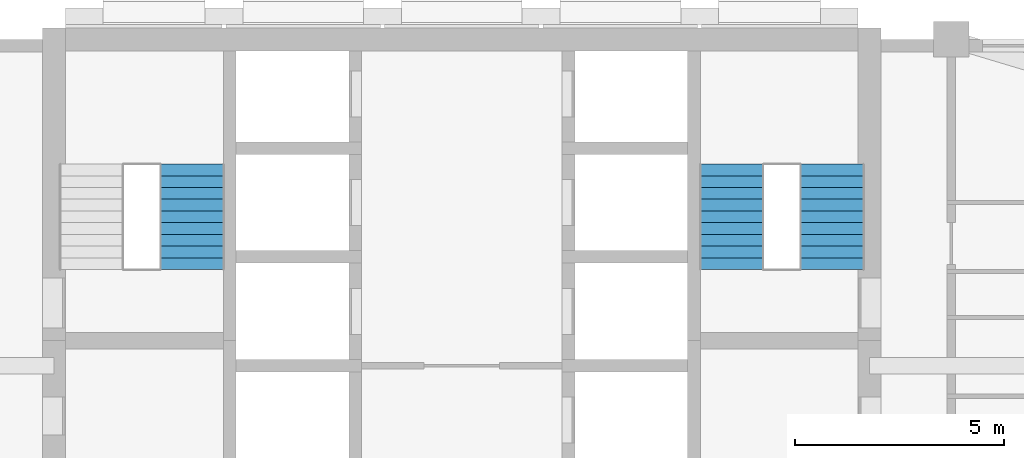
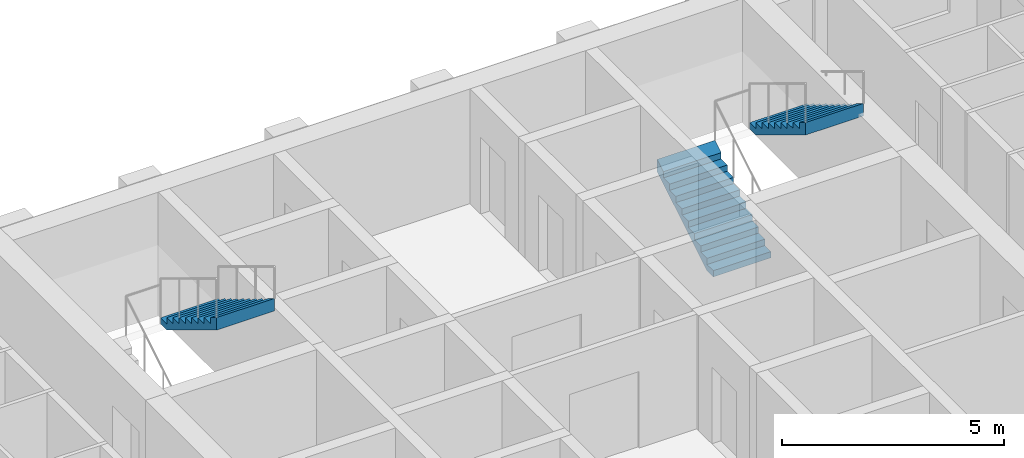
# One storey, part 10 of 12: 3 stair flights, 2 elements without a shape of their own.
"""IFC4 building model written with IfcOpenShell, lengths in metres."""

import ifcopenshell
import ifcopenshell.guid

model = None  # the IFC model being written
_history = None  # IfcOwnerHistory: only IFC2X3 demands one
_inside = {}  # id of a spatial element -> (the spatial element, [elements in it])
_under = {}  # id of a project, library or spatial element -> (it, [spatial elements below it])
_declared = {}  # id of a project -> (the project, [libraries it declares])
_typed = {}  # id of a type object -> (the type object, [elements of that type])
_made_of = {}  # id of a material, layer set ... -> (it, [elements and type objects made of it])


def new_model(schema):
    """Start an empty IFC model of exactly this schema.

    Asked for "IFC4X3", IfcOpenShell would pick the latest addendum, in which some entities
    have other attributes; the version numbers below select the first issue.
    IFC2X3 requires an IfcOwnerHistory on every rooted entity: one is made here for all.
    """
    global model, _history
    if schema == "IFC4X3":
        model = ifcopenshell.file(schema_version=(4, 3, 0, 0))
    else:
        model = ifcopenshell.file(schema=schema)
    _inside.clear()
    _under.clear()
    _declared.clear()
    _typed.clear()
    _made_of.clear()
    _history = None
    if model.schema == "IFC2X3":
        org = make("IfcOrganization", Name="unknown")
        user = make(
            "IfcPersonAndOrganization",
            ThePerson=make("IfcPerson", FamilyName="unknown"),
            TheOrganization=org,
        )
        app = make(
            "IfcApplication",
            ApplicationDeveloper=org,
            Version="unknown",
            ApplicationFullName="unknown",
            ApplicationIdentifier="unknown",
        )
        _history = make(
            "IfcOwnerHistory",
            OwningUser=user,
            OwningApplication=app,
            ChangeAction="ADDED",
            CreationDate=0,
        )
    return model


def make(cls, **values):
    """One entity of the class cls with the attributes given. An attribute that is None is left unset."""
    return model.create_entity(
        cls, **{name: value for name, value in values.items() if value is not None}
    )


def rooted(cls, **values):
    """An entity with a GlobalId (a new one), such as an element, a storey or a relation."""
    return make(cls, GlobalId=ifcopenshell.guid.new(), OwnerHistory=_history, **values)


def si_unit(unit_type, name, prefix=None):
    """IfcSIUnit, for example si_unit("LENGTHUNIT", "METRE", prefix="MILLI")."""
    return make("IfcSIUnit", UnitType=unit_type, Prefix=prefix, Name=name)


def assignment(units):
    """IfcUnitAssignment: the units of a project."""
    return None if units is None else make("IfcUnitAssignment", Units=units)


def point(xyz):
    """IfcCartesianPoint."""
    return None if xyz is None else make("IfcCartesianPoint", Coordinates=xyz)


def direction(xyz):
    """IfcDirection."""
    return None if xyz is None else make("IfcDirection", DirectionRatios=xyz)


def frame(location, z_axis=None, x_axis=None):
    """IfcAxis2Placement3D, a coordinate frame: its origin and axes. An axis left out is left unset."""
    return make(
        "IfcAxis2Placement3D",
        Location=point(location),
        Axis=direction(z_axis),
        RefDirection=direction(x_axis),
    )


def origin():
    """The frame at (0, 0, 0) with its axes left unset."""
    return frame((0.0, 0.0, 0.0))


def place(relative_to, where):
    """IfcLocalPlacement: puts the frame where relative to a parent placement (None: the world)."""
    return make(
        "IfcLocalPlacement", PlacementRelTo=relative_to, RelativePlacement=where
    )


def context(
    kind, dimensions, precision=None, world=None, true_north=None, identifier=None
):
    """IfcGeometricRepresentationContext, for example the 3D "Model" context."""
    return make(
        "IfcGeometricRepresentationContext",
        ContextIdentifier=identifier,
        ContextType=kind,
        CoordinateSpaceDimension=dimensions,
        Precision=precision,
        WorldCoordinateSystem=world,
        TrueNorth=true_north,
    )


def subcontext(parent, identifier, kind, view, scale=None):
    """IfcGeometricRepresentationSubContext, for example "Body" below "Model"."""
    return make(
        "IfcGeometricRepresentationSubContext",
        ContextIdentifier=identifier,
        ContextType=kind,
        ParentContext=parent,
        TargetScale=scale,
        TargetView=view,
    )


def project(units=None, contexts=None):
    """IfcProject with its units and contexts."""
    return rooted(
        "IfcProject",
        Name="project",
        RepresentationContexts=contexts,
        UnitsInContext=assignment(units),
    )


def spatial(cls, under=None, at=None, **own):
    """A site, building, storey or space (cls), placed at a placement, below another one or the project."""
    s = rooted(cls, ObjectPlacement=at, **own)
    if under is not None:
        _under.setdefault(under.id(), (under, []))[1].append(s)
    return s


def point_list(points):
    """IfcCartesianPointList2D or 3D."""
    cls = (
        "IfcCartesianPointList2D" if len(points[0]) == 2 else "IfcCartesianPointList3D"
    )
    return make(cls, CoordList=points)


def triangles(points, corners, closed=None, point_numbers=None):
    """IfcTriangulatedFaceSet: each triangle names its three corners, points numbered from 1."""
    return make(
        "IfcTriangulatedFaceSet",
        Coordinates=point_list(points),
        Closed=closed,
        CoordIndex=corners,
        PnIndex=point_numbers,
    )


def shape(context_of_items, identifier, shape_type, items):
    """IfcShapeRepresentation: the items that make up one representation, for example the "Body"."""
    return make(
        "IfcShapeRepresentation",
        ContextOfItems=context_of_items,
        RepresentationIdentifier=identifier,
        RepresentationType=shape_type,
        Items=items,
    )


def material(Name=None, Category=None):
    """IfcMaterial."""
    return make("IfcMaterial", Name=Name, Category=Category)


def made_of(thing, what):
    """Note that an element or type object is made of a material, layer set ...; save() writes the relation."""
    if what is not None:
        _made_of.setdefault(what.id(), (what, []))[1].append(thing)
    return thing


def type_object(cls, material=None, **own):
    """A type object (cls), such as IfcWallType, which elements share."""
    return made_of(rooted(cls, **own), material)


def element(
    cls,
    number,
    at=None,
    inside=None,
    cuts=None,
    type_object=None,
    material=None,
    context=None,
    identifier="Body",
    shape_type=None,
    held_by="IfcProductDefinitionShape",
    body=None,
    shapes=None,
    **own,
):
    """One element of the class cls, such as IfcWall. Its Tag is "e" and its number.

    at: its placement. inside: the storey or other place that contains it. cuts: it is an
    opening in that element (IfcRelVoidsElement). A single representation is given by context,
    identifier, shape_type and body (its items); several are given by shapes. held_by: the class
    of the entity that holds the representations. save() writes the other relations.
    """
    e = rooted(cls, Tag="e%d" % number, ObjectPlacement=at, **own)
    if body is not None:
        shapes = [shape(context, identifier, shape_type, body)]
    if shapes is not None:
        e.Representation = make(held_by, Representations=shapes)
    if inside is not None:
        _inside.setdefault(inside.id(), (inside, []))[1].append(e)
    if cuts is not None:
        rooted(
            "IfcRelVoidsElement", RelatingBuildingElement=cuts, RelatedOpeningElement=e
        )
    if type_object is not None:
        _typed.setdefault(type_object.id(), (type_object, []))[1].append(e)
    return made_of(e, material)


def aggregate(whole, parts):
    """IfcRelAggregates: a whole, such as a stair, and the parts it consists of."""
    return rooted("IfcRelAggregates", RelatingObject=whole, RelatedObjects=parts)


def save(model, path):
    """Write the relations noted so far, then the file.

    IfcRelAggregates (storeys below a building ...), IfcRelContainedInSpatialStructure (elements
    in a storey), IfcRelDefinesByType, IfcRelAssociatesMaterial and IfcRelDeclares: one each for
    every whole, place, type object, material and project.
    """
    for whole, parts in _under.values():
        aggregate(whole, parts)
    for where, things in _inside.values():
        rooted(
            "IfcRelContainedInSpatialStructure",
            RelatedElements=things,
            RelatingStructure=where,
        )
    for kind, things in _typed.values():
        rooted("IfcRelDefinesByType", RelatedObjects=things, RelatingType=kind)
    for what, things in _made_of.values():
        rooted("IfcRelAssociatesMaterial", RelatedObjects=things, RelatingMaterial=what)
    for by, libraries in _declared.values():
        rooted("IfcRelDeclares", RelatingContext=by, RelatedDefinitions=libraries)
    model.write(path)


model = new_model("IFC4")

# Units and contexts
model_context = context("Model", 3, precision=1e-05, world=origin(), true_north=direction((0.0, 1.0)))
body_context = subcontext(model_context, "Body", "Model", "MODEL_VIEW")
ifc_project = project(units=[si_unit("LENGTHUNIT", "METRE"), si_unit("AREAUNIT", "SQUARE_METRE"), si_unit("VOLUMEUNIT", "CUBIC_METRE"), si_unit("PLANEANGLEUNIT", "RADIAN"), si_unit("MASSUNIT", "GRAM", prefix="KILO")], contexts=[model_context])

# Site, building, storey
site_placement = place(None, origin())
site = spatial("IfcSite", under=ifc_project, at=site_placement, CompositionType="ELEMENT")
building_placement = place(site_placement, origin())
building = spatial("IfcBuilding", under=site, at=building_placement, Name="Ludao Terraces", CompositionType="ELEMENT")
storey_placement = place(building_placement, frame((0.0, 0.0, 137.300048828125)))
storey = spatial("IfcBuildingStorey", under=building, at=storey_placement, Name="L37", CompositionType="ELEMENT", Elevation=137.300048828125)

# Stair, stair flight
ifc_material = material(Name="Concrete C40", Category="concrete")
stair_type = type_object("IfcStairType", Name="INT Stair", PredefinedType="HALF_TURN_STAIR", material=ifc_material)
stair_1_placement = place(storey_placement, origin())
stair_1 = element("IfcStair", 1, at=stair_1_placement, inside=storey, type_object=stair_type, Name="EXIT STAIR 1", PredefinedType="HALF_TURN_STAIR")
stair_flight_type = type_object("IfcStairFlightType", Name="INT Stair flight", PredefinedType="STRAIGHT", material=ifc_material)
stair_flight_1_placement = place(storey_placement, frame((78.550048828125, 81.52001953125, 1.699951171875), z_axis=(0.0, 0.0, 1.0), x_axis=(0.0, -1.0, 0.0)))
stair_flight_1 = element("IfcStairFlight", 2, at=stair_flight_1_placement, type_object=stair_flight_type, Name="ST1 flight 2", NumberOfRisers=10, NumberOfTreads=9, PredefinedType="STRAIGHT", RiserHeight=0.17, TreadLength=0.28, context=body_context, shape_type="Tessellation", body=[
    triangles([(0.0, -0.75, 0.0), (0.0, -0.5, 0.0), (0.0, -0.25, 0.0), (0.0, 0.0, 0.0), (0.0, 0.25, 0.0), (0.0, 0.5, 0.0), (0.0, 0.75, 0.0), (0.0, -0.75, 0.169921875), (0.0, -0.5, 0.169921875), (0.0, -0.25, 0.169921875), (0.0, 0.0, 0.169921875), (0.0, 0.25, 0.169921875), (0.0, 0.5, 0.169921875), (0.0, 0.75, 0.169921875), (0.280029296875, -0.75, 0.169921875), (0.280029296875, -0.5, 0.169921875), (0.280029296875, -0.25, 0.169921875), (0.280029296875, 0.0, 0.169921875), (0.280029296875, 0.25, 0.169921875), (0.280029296875, 0.5, 0.169921875), (0.280029296875, 0.75, 0.169921875), (0.280029296875, -0.75, 0.340087890625), (0.280029296875, -0.5, 0.340087890625), (0.280029296875, -0.25, 0.340087890625), (0.280029296875, 0.0, 0.340087890625), (0.280029296875, 0.25, 0.340087890625), (0.280029296875, 0.5, 0.340087890625), (0.280029296875, 0.75, 0.340087890625), (0.56005859375, -0.75, 0.340087890625), (0.56005859375, -0.5, 0.340087890625), (0.56005859375, -0.25, 0.340087890625), (0.56005859375, 0.0, 0.340087890625), (0.56005859375, 0.25, 0.340087890625), (0.56005859375, 0.5, 0.340087890625), (0.56005859375, 0.75, 0.340087890625), (0.56005859375, -0.75, 0.510009765625), (0.56005859375, -0.5, 0.510009765625), (0.56005859375, -0.25, 0.510009765625), (0.56005859375, 0.0, 0.510009765625), (0.56005859375, 0.25, 0.510009765625), (0.56005859375, 0.5, 0.510009765625), (0.56005859375, 0.75, 0.510009765625), (0.840087890625, -0.75, 0.510009765625), (0.840087890625, -0.5, 0.510009765625), (0.840087890625, -0.25, 0.510009765625), (0.840087890625, 0.0, 0.510009765625), (0.840087890625, 0.25, 0.510009765625), (0.840087890625, 0.5, 0.510009765625), (0.840087890625, 0.75, 0.510009765625), (0.840087890625, -0.75, 0.679931640625), (0.840087890625, -0.5, 0.679931640625), (0.840087890625, -0.25, 0.679931640625), (0.840087890625, 0.0, 0.679931640625), (0.840087890625, 0.25, 0.679931640625), (0.840087890625, 0.5, 0.679931640625), (0.840087890625, 0.75, 0.679931640625), (1.1201171875, -0.75, 0.679931640625), (1.1201171875, -0.5, 0.679931640625), (1.1201171875, -0.25, 0.679931640625), (1.1201171875, 0.0, 0.679931640625), (1.1201171875, 0.25, 0.679931640625), (1.1201171875, 0.5, 0.679931640625), (1.1201171875, 0.75, 0.679931640625), (1.1201171875, -0.75, 0.85009765625), (1.1201171875, -0.5, 0.85009765625), (1.1201171875, -0.25, 0.85009765625), (1.1201171875, 0.0, 0.85009765625), (1.1201171875, 0.25, 0.85009765625), (1.1201171875, 0.5, 0.85009765625), (1.1201171875, 0.75, 0.85009765625), (1.39990234375, -0.75, 0.85009765625), (1.39990234375, -0.5, 0.85009765625), (1.39990234375, -0.25, 0.85009765625), (1.39990234375, 0.0, 0.85009765625), (1.39990234375, 0.25, 0.85009765625), (1.39990234375, 0.5, 0.85009765625), (1.39990234375, 0.75, 0.85009765625), (1.39990234375, -0.75, 1.02001953125), (1.39990234375, -0.5, 1.02001953125), (1.39990234375, -0.25, 1.02001953125), (1.39990234375, 0.0, 1.02001953125), (1.39990234375, 0.25, 1.02001953125), (1.39990234375, 0.5, 1.02001953125), (1.39990234375, 0.75, 1.02001953125), (1.679931640625, -0.75, 1.02001953125), (1.679931640625, -0.5, 1.02001953125), (1.679931640625, -0.25, 1.02001953125), (1.679931640625, 0.0, 1.02001953125), (1.679931640625, 0.25, 1.02001953125), (1.679931640625, 0.5, 1.02001953125), (1.679931640625, 0.75, 1.02001953125), (1.679931640625, -0.75, 1.18994140625), (1.679931640625, -0.5, 1.18994140625), (1.679931640625, -0.25, 1.18994140625), (1.679931640625, 0.0, 1.18994140625), (1.679931640625, 0.25, 1.18994140625), (1.679931640625, 0.5, 1.18994140625), (1.679931640625, 0.75, 1.18994140625), (1.9599609375, -0.75, 1.18994140625), (1.9599609375, -0.5, 1.18994140625), (1.9599609375, -0.25, 1.18994140625), (1.9599609375, 0.0, 1.18994140625), (1.9599609375, 0.25, 1.18994140625), (1.9599609375, 0.5, 1.18994140625), (1.9599609375, 0.75, 1.18994140625), (1.9599609375, -0.75, 1.360107421875), (1.9599609375, -0.5, 1.360107421875), (1.9599609375, -0.25, 1.360107421875), (1.9599609375, 0.0, 1.360107421875), (1.9599609375, 0.25, 1.360107421875), (1.9599609375, 0.5, 1.360107421875), (1.9599609375, 0.75, 1.360107421875), (2.239990234375, -0.75, 1.360107421875), (2.239990234375, -0.5, 1.360107421875), (2.239990234375, -0.25, 1.360107421875), (2.239990234375, 0.0, 1.360107421875), (2.239990234375, 0.25, 1.360107421875), (2.239990234375, 0.5, 1.360107421875), (2.239990234375, 0.75, 1.360107421875), (2.239990234375, -0.75, 1.530029296875), (2.239990234375, -0.5, 1.530029296875), (2.239990234375, -0.25, 1.530029296875), (2.239990234375, 0.0, 1.530029296875), (2.239990234375, 0.25, 1.530029296875), (2.239990234375, 0.5, 1.530029296875), (2.239990234375, 0.75, 1.530029296875), (2.52001953125, -0.75, 1.699951171875), (2.52001953125, -0.5, 1.699951171875), (2.52001953125, -0.25, 1.699951171875), (2.52001953125, 0.0, 1.699951171875), (2.52001953125, 0.25, 1.699951171875), (2.52001953125, 0.5, 1.699951171875), (2.52001953125, 0.75, 1.699951171875), (2.52001953125, -0.75, 1.354736328125), (2.52001953125, -0.5, 1.354736328125), (2.52001953125, -0.25, 1.354736328125), (2.52001953125, 0.0, 1.354736328125), (2.52001953125, 0.25, 1.354736328125), (2.52001953125, 0.5, 1.354736328125), (2.52001953125, 0.75, 1.354736328125), (0.288818359375, -0.75, 0.0), (0.288818359375, -0.5, 0.0), (0.288818359375, -0.25, 0.0), (0.288818359375, 0.0, 0.0), (0.288818359375, 0.25, 0.0), (0.288818359375, 0.5, 0.0), (0.288818359375, 0.75, 0.0)], [[1, 141, 134], [7, 140, 147], [134, 127, 120], [140, 126, 133], [134, 120, 113], [140, 119, 126], [134, 113, 106], [140, 112, 119], [134, 106, 99], [140, 105, 112], [99, 92, 85], [105, 91, 98], [134, 99, 85], [140, 91, 105], [85, 78, 71], [91, 77, 84], [134, 85, 71], [140, 77, 91], [71, 64, 57], [77, 63, 70], [134, 71, 57], [140, 63, 77], [57, 50, 43], [63, 49, 56], [134, 57, 43], [140, 49, 63], [43, 36, 29], [49, 35, 42], [134, 43, 29], [140, 35, 49], [29, 22, 15], [35, 21, 28], [134, 29, 15], [140, 21, 35], [1, 134, 15], [7, 21, 140], [15, 8, 1], [21, 7, 14], [1, 9, 2], [1, 8, 9], [2, 10, 3], [2, 9, 10], [3, 11, 4], [3, 10, 11], [4, 12, 5], [4, 11, 12], [5, 13, 6], [5, 12, 13], [6, 14, 7], [6, 13, 14], [8, 16, 9], [8, 15, 16], [9, 17, 10], [9, 16, 17], [10, 18, 11], [10, 17, 18], [11, 19, 12], [11, 18, 19], [12, 20, 13], [12, 19, 20], [13, 21, 14], [13, 20, 21], [15, 23, 16], [15, 22, 23], [16, 24, 17], [16, 23, 24], [17, 25, 18], [17, 24, 25], [18, 26, 19], [18, 25, 26], [19, 27, 20], [19, 26, 27], [20, 28, 21], [20, 27, 28], [22, 30, 23], [22, 29, 30], [23, 31, 24], [23, 30, 31], [24, 32, 25], [24, 31, 32], [25, 33, 26], [25, 32, 33], [26, 34, 27], [26, 33, 34], [27, 35, 28], [27, 34, 35], [29, 37, 30], [29, 36, 37], [30, 38, 31], [30, 37, 38], [31, 39, 32], [31, 38, 39], [32, 40, 33], [32, 39, 40], [33, 41, 34], [33, 40, 41], [34, 42, 35], [34, 41, 42], [36, 44, 37], [36, 43, 44], [37, 45, 38], [37, 44, 45], [38, 46, 39], [38, 45, 46], [39, 47, 40], [39, 46, 47], [40, 48, 41], [40, 47, 48], [41, 49, 42], [41, 48, 49], [43, 51, 44], [43, 50, 51], [44, 52, 45], [44, 51, 52], [45, 53, 46], [45, 52, 53], [46, 54, 47], [46, 53, 54], [47, 55, 48], [47, 54, 55], [48, 56, 49], [48, 55, 56], [50, 58, 51], [50, 57, 58], [51, 59, 52], [51, 58, 59], [52, 60, 53], [52, 59, 60], [53, 61, 54], [53, 60, 61], [54, 62, 55], [54, 61, 62], [55, 63, 56], [55, 62, 63], [57, 65, 58], [57, 64, 65], [58, 66, 59], [58, 65, 66], [59, 67, 60], [59, 66, 67], [60, 68, 61], [60, 67, 68], [61, 69, 62], [61, 68, 69], [62, 70, 63], [62, 69, 70], [64, 72, 65], [64, 71, 72], [65, 73, 66], [65, 72, 73], [66, 74, 67], [66, 73, 74], [67, 75, 68], [67, 74, 75], [68, 76, 69], [68, 75, 76], [69, 77, 70], [69, 76, 77], [71, 79, 72], [71, 78, 79], [72, 80, 73], [72, 79, 80], [73, 81, 74], [73, 80, 81], [74, 82, 75], [74, 81, 82], [75, 83, 76], [75, 82, 83], [76, 84, 77], [76, 83, 84], [78, 86, 79], [78, 85, 86], [79, 87, 80], [79, 86, 87], [80, 88, 81], [80, 87, 88], [81, 89, 82], [81, 88, 89], [82, 90, 83], [82, 89, 90], [83, 91, 84], [83, 90, 91], [85, 93, 86], [85, 92, 93], [86, 94, 87], [86, 93, 94], [87, 95, 88], [87, 94, 95], [88, 96, 89], [88, 95, 96], [89, 97, 90], [89, 96, 97], [90, 98, 91], [90, 97, 98], [92, 100, 93], [92, 99, 100], [93, 101, 94], [93, 100, 101], [94, 102, 95], [94, 101, 102], [95, 103, 96], [95, 102, 103], [96, 104, 97], [96, 103, 104], [97, 105, 98], [97, 104, 105], [99, 107, 100], [99, 106, 107], [100, 108, 101], [100, 107, 108], [101, 109, 102], [101, 108, 109], [102, 110, 103], [102, 109, 110], [103, 111, 104], [103, 110, 111], [104, 112, 105], [104, 111, 112], [106, 114, 107], [106, 113, 114], [107, 115, 108], [107, 114, 115], [108, 116, 109], [108, 115, 116], [109, 117, 110], [109, 116, 117], [110, 118, 111], [110, 117, 118], [111, 119, 112], [111, 118, 119], [113, 121, 114], [113, 120, 121], [114, 122, 115], [114, 121, 122], [115, 123, 116], [115, 122, 123], [116, 124, 117], [116, 123, 124], [117, 125, 118], [117, 124, 125], [118, 126, 119], [118, 125, 126], [120, 128, 121], [120, 127, 128], [121, 129, 122], [121, 128, 129], [122, 130, 123], [122, 129, 130], [123, 131, 124], [123, 130, 131], [124, 132, 125], [124, 131, 132], [125, 133, 126], [125, 132, 133], [127, 135, 128], [127, 134, 135], [128, 136, 129], [128, 135, 136], [129, 137, 130], [129, 136, 137], [130, 138, 131], [130, 137, 138], [131, 139, 132], [131, 138, 139], [132, 140, 133], [132, 139, 140], [134, 142, 135], [134, 141, 142], [135, 143, 136], [135, 142, 143], [136, 144, 137], [136, 143, 144], [137, 145, 138], [137, 144, 145], [138, 146, 139], [138, 145, 146], [139, 147, 140], [139, 146, 147], [141, 2, 142], [141, 1, 2], [142, 3, 143], [142, 2, 3], [143, 4, 144], [143, 3, 4], [144, 5, 145], [144, 4, 5], [145, 6, 146], [145, 5, 6], [146, 7, 147], [146, 6, 7]], closed=True),
])
aggregate(stair_1, [stair_flight_1])

# Stair, stair flights
stair_2_placement = place(storey_placement, origin())
stair_2 = element("IfcStair", 3, at=stair_2_placement, inside=storey, type_object=stair_type, Name="EXIT STAIR 2", PredefinedType="HALF_TURN_STAIR")
stair_flight_2_placement = place(storey_placement, frame((91.449951171875, 79.0, 0.0), z_axis=(0.0, 0.0, 1.0), x_axis=(0.0, 1.0, 0.0)))
stair_flight_2 = element("IfcStairFlight", 4, at=stair_flight_2_placement, type_object=stair_flight_type, Name="ST2 flight 1", NumberOfRisers=10, NumberOfTreads=9, PredefinedType="STRAIGHT", RiserHeight=0.17, TreadLength=0.28, context=body_context, shape_type="Tessellation", body=[
    triangles([(0.0, -0.75, 0.0), (0.0, -0.5, 0.0), (0.0, -0.25, 0.0), (0.0, 0.0, 0.0), (0.0, 0.25, 0.0), (0.0, 0.5, 0.0), (0.0, 0.75, 0.0), (0.0, -0.75, 0.169921875), (0.0, -0.5, 0.169921875), (0.0, -0.25, 0.169921875), (0.0, 0.0, 0.169921875), (0.0, 0.25, 0.169921875), (0.0, 0.5, 0.169921875), (0.0, 0.75, 0.169921875), (0.280029296875, -0.75, 0.169921875), (0.280029296875, -0.5, 0.169921875), (0.280029296875, -0.25, 0.169921875), (0.280029296875, 0.0, 0.169921875), (0.280029296875, 0.25, 0.169921875), (0.280029296875, 0.5, 0.169921875), (0.280029296875, 0.75, 0.169921875), (0.280029296875, -0.75, 0.340087890625), (0.280029296875, -0.5, 0.340087890625), (0.280029296875, -0.25, 0.340087890625), (0.280029296875, 0.0, 0.340087890625), (0.280029296875, 0.25, 0.340087890625), (0.280029296875, 0.5, 0.340087890625), (0.280029296875, 0.75, 0.340087890625), (0.56005859375, -0.75, 0.340087890625), (0.56005859375, -0.5, 0.340087890625), (0.56005859375, -0.25, 0.340087890625), (0.56005859375, 0.0, 0.340087890625), (0.56005859375, 0.25, 0.340087890625), (0.56005859375, 0.5, 0.340087890625), (0.56005859375, 0.75, 0.340087890625), (0.56005859375, -0.75, 0.510009765625), (0.56005859375, -0.5, 0.510009765625), (0.56005859375, -0.25, 0.510009765625), (0.56005859375, 0.0, 0.510009765625), (0.56005859375, 0.25, 0.510009765625), (0.56005859375, 0.5, 0.510009765625), (0.56005859375, 0.75, 0.510009765625), (0.840087890625, -0.75, 0.510009765625), (0.840087890625, -0.5, 0.510009765625), (0.840087890625, -0.25, 0.510009765625), (0.840087890625, 0.0, 0.510009765625), (0.840087890625, 0.25, 0.510009765625), (0.840087890625, 0.5, 0.510009765625), (0.840087890625, 0.75, 0.510009765625), (0.840087890625, -0.75, 0.679931640625), (0.840087890625, -0.5, 0.679931640625), (0.840087890625, -0.25, 0.679931640625), (0.840087890625, 0.0, 0.679931640625), (0.840087890625, 0.25, 0.679931640625), (0.840087890625, 0.5, 0.679931640625), (0.840087890625, 0.75, 0.679931640625), (1.1201171875, -0.75, 0.679931640625), (1.1201171875, -0.5, 0.679931640625), (1.1201171875, -0.25, 0.679931640625), (1.1201171875, 0.0, 0.679931640625), (1.1201171875, 0.25, 0.679931640625), (1.1201171875, 0.5, 0.679931640625), (1.1201171875, 0.75, 0.679931640625), (1.1201171875, -0.75, 0.85009765625), (1.1201171875, -0.5, 0.85009765625), (1.1201171875, -0.25, 0.85009765625), (1.1201171875, 0.0, 0.85009765625), (1.1201171875, 0.25, 0.85009765625), (1.1201171875, 0.5, 0.85009765625), (1.1201171875, 0.75, 0.85009765625), (1.39990234375, -0.75, 0.85009765625), (1.39990234375, -0.5, 0.85009765625), (1.39990234375, -0.25, 0.85009765625), (1.39990234375, 0.0, 0.85009765625), (1.39990234375, 0.25, 0.85009765625), (1.39990234375, 0.5, 0.85009765625), (1.39990234375, 0.75, 0.85009765625), (1.39990234375, -0.75, 1.02001953125), (1.39990234375, -0.5, 1.02001953125), (1.39990234375, -0.25, 1.02001953125), (1.39990234375, 0.0, 1.02001953125), (1.39990234375, 0.25, 1.02001953125), (1.39990234375, 0.5, 1.02001953125), (1.39990234375, 0.75, 1.02001953125), (1.679931640625, -0.75, 1.02001953125), (1.679931640625, -0.5, 1.02001953125), (1.679931640625, -0.25, 1.02001953125), (1.679931640625, 0.0, 1.02001953125), (1.679931640625, 0.25, 1.02001953125), (1.679931640625, 0.5, 1.02001953125), (1.679931640625, 0.75, 1.02001953125), (1.679931640625, -0.75, 1.18994140625), (1.679931640625, -0.5, 1.18994140625), (1.679931640625, -0.25, 1.18994140625), (1.679931640625, 0.0, 1.18994140625), (1.679931640625, 0.25, 1.18994140625), (1.679931640625, 0.5, 1.18994140625), (1.679931640625, 0.75, 1.18994140625), (1.9599609375, -0.75, 1.18994140625), (1.9599609375, -0.5, 1.18994140625), (1.9599609375, -0.25, 1.18994140625), (1.9599609375, 0.0, 1.18994140625), (1.9599609375, 0.25, 1.18994140625), (1.9599609375, 0.5, 1.18994140625), (1.9599609375, 0.75, 1.18994140625), (1.9599609375, -0.75, 1.360107421875), (1.9599609375, -0.5, 1.360107421875), (1.9599609375, -0.25, 1.360107421875), (1.9599609375, 0.0, 1.360107421875), (1.9599609375, 0.25, 1.360107421875), (1.9599609375, 0.5, 1.360107421875), (1.9599609375, 0.75, 1.360107421875), (2.239990234375, -0.75, 1.360107421875), (2.239990234375, -0.5, 1.360107421875), (2.239990234375, -0.25, 1.360107421875), (2.239990234375, 0.0, 1.360107421875), (2.239990234375, 0.25, 1.360107421875), (2.239990234375, 0.5, 1.360107421875), (2.239990234375, 0.75, 1.360107421875), (2.239990234375, -0.75, 1.530029296875), (2.239990234375, -0.5, 1.530029296875), (2.239990234375, -0.25, 1.530029296875), (2.239990234375, 0.0, 1.530029296875), (2.239990234375, 0.25, 1.530029296875), (2.239990234375, 0.5, 1.530029296875), (2.239990234375, 0.75, 1.530029296875), (2.52001953125, -0.75, 1.699951171875), (2.52001953125, -0.5, 1.699951171875), (2.52001953125, -0.25, 1.699951171875), (2.52001953125, 0.0, 1.699951171875), (2.52001953125, 0.25, 1.699951171875), (2.52001953125, 0.5, 1.699951171875), (2.52001953125, 0.75, 1.699951171875), (2.52001953125, -0.75, 1.354736328125), (2.52001953125, -0.5, 1.354736328125), (2.52001953125, -0.25, 1.354736328125), (2.52001953125, 0.0, 1.354736328125), (2.52001953125, 0.25, 1.354736328125), (2.52001953125, 0.5, 1.354736328125), (2.52001953125, 0.75, 1.354736328125), (0.288818359375, -0.75, 0.0), (0.288818359375, -0.5, 0.0), (0.288818359375, -0.25, 0.0), (0.288818359375, 0.0, 0.0), (0.288818359375, 0.25, 0.0), (0.288818359375, 0.5, 0.0), (0.288818359375, 0.75, 0.0)], [[1, 141, 134], [7, 140, 147], [134, 127, 120], [140, 126, 133], [134, 120, 113], [140, 119, 126], [134, 113, 106], [140, 112, 119], [134, 106, 99], [140, 105, 112], [99, 92, 85], [105, 91, 98], [134, 99, 85], [140, 91, 105], [85, 78, 71], [91, 77, 84], [134, 85, 71], [140, 77, 91], [71, 64, 57], [77, 63, 70], [134, 71, 57], [140, 63, 77], [57, 50, 43], [63, 49, 56], [134, 57, 43], [140, 49, 63], [43, 36, 29], [49, 35, 42], [134, 43, 29], [140, 35, 49], [29, 22, 15], [35, 21, 28], [134, 29, 15], [140, 21, 35], [1, 134, 15], [7, 21, 140], [15, 8, 1], [21, 7, 14], [1, 9, 2], [1, 8, 9], [2, 10, 3], [2, 9, 10], [3, 11, 4], [3, 10, 11], [4, 12, 5], [4, 11, 12], [5, 13, 6], [5, 12, 13], [6, 14, 7], [6, 13, 14], [8, 16, 9], [8, 15, 16], [9, 17, 10], [9, 16, 17], [10, 18, 11], [10, 17, 18], [11, 19, 12], [11, 18, 19], [12, 20, 13], [12, 19, 20], [13, 21, 14], [13, 20, 21], [15, 23, 16], [15, 22, 23], [16, 24, 17], [16, 23, 24], [17, 25, 18], [17, 24, 25], [18, 26, 19], [18, 25, 26], [19, 27, 20], [19, 26, 27], [20, 28, 21], [20, 27, 28], [22, 30, 23], [22, 29, 30], [23, 31, 24], [23, 30, 31], [24, 32, 25], [24, 31, 32], [25, 33, 26], [25, 32, 33], [26, 34, 27], [26, 33, 34], [27, 35, 28], [27, 34, 35], [29, 37, 30], [29, 36, 37], [30, 38, 31], [30, 37, 38], [31, 39, 32], [31, 38, 39], [32, 40, 33], [32, 39, 40], [33, 41, 34], [33, 40, 41], [34, 42, 35], [34, 41, 42], [36, 44, 37], [36, 43, 44], [37, 45, 38], [37, 44, 45], [38, 46, 39], [38, 45, 46], [39, 47, 40], [39, 46, 47], [40, 48, 41], [40, 47, 48], [41, 49, 42], [41, 48, 49], [43, 51, 44], [43, 50, 51], [44, 52, 45], [44, 51, 52], [45, 53, 46], [45, 52, 53], [46, 54, 47], [46, 53, 54], [47, 55, 48], [47, 54, 55], [48, 56, 49], [48, 55, 56], [50, 58, 51], [50, 57, 58], [51, 59, 52], [51, 58, 59], [52, 60, 53], [52, 59, 60], [53, 61, 54], [53, 60, 61], [54, 62, 55], [54, 61, 62], [55, 63, 56], [55, 62, 63], [57, 65, 58], [57, 64, 65], [58, 66, 59], [58, 65, 66], [59, 67, 60], [59, 66, 67], [60, 68, 61], [60, 67, 68], [61, 69, 62], [61, 68, 69], [62, 70, 63], [62, 69, 70], [64, 72, 65], [64, 71, 72], [65, 73, 66], [65, 72, 73], [66, 74, 67], [66, 73, 74], [67, 75, 68], [67, 74, 75], [68, 76, 69], [68, 75, 76], [69, 77, 70], [69, 76, 77], [71, 79, 72], [71, 78, 79], [72, 80, 73], [72, 79, 80], [73, 81, 74], [73, 80, 81], [74, 82, 75], [74, 81, 82], [75, 83, 76], [75, 82, 83], [76, 84, 77], [76, 83, 84], [78, 86, 79], [78, 85, 86], [79, 87, 80], [79, 86, 87], [80, 88, 81], [80, 87, 88], [81, 89, 82], [81, 88, 89], [82, 90, 83], [82, 89, 90], [83, 91, 84], [83, 90, 91], [85, 93, 86], [85, 92, 93], [86, 94, 87], [86, 93, 94], [87, 95, 88], [87, 94, 95], [88, 96, 89], [88, 95, 96], [89, 97, 90], [89, 96, 97], [90, 98, 91], [90, 97, 98], [92, 100, 93], [92, 99, 100], [93, 101, 94], [93, 100, 101], [94, 102, 95], [94, 101, 102], [95, 103, 96], [95, 102, 103], [96, 104, 97], [96, 103, 104], [97, 105, 98], [97, 104, 105], [99, 107, 100], [99, 106, 107], [100, 108, 101], [100, 107, 108], [101, 109, 102], [101, 108, 109], [102, 110, 103], [102, 109, 110], [103, 111, 104], [103, 110, 111], [104, 112, 105], [104, 111, 112], [106, 114, 107], [106, 113, 114], [107, 115, 108], [107, 114, 115], [108, 116, 109], [108, 115, 116], [109, 117, 110], [109, 116, 117], [110, 118, 111], [110, 117, 118], [111, 119, 112], [111, 118, 119], [113, 121, 114], [113, 120, 121], [114, 122, 115], [114, 121, 122], [115, 123, 116], [115, 122, 123], [116, 124, 117], [116, 123, 124], [117, 125, 118], [117, 124, 125], [118, 126, 119], [118, 125, 126], [120, 128, 121], [120, 127, 128], [121, 129, 122], [121, 128, 129], [122, 130, 123], [122, 129, 130], [123, 131, 124], [123, 130, 131], [124, 132, 125], [124, 131, 132], [125, 133, 126], [125, 132, 133], [127, 135, 128], [127, 134, 135], [128, 136, 129], [128, 135, 136], [129, 137, 130], [129, 136, 137], [130, 138, 131], [130, 137, 138], [131, 139, 132], [131, 138, 139], [132, 140, 133], [132, 139, 140], [134, 142, 135], [134, 141, 142], [135, 143, 136], [135, 142, 143], [136, 144, 137], [136, 143, 144], [137, 145, 138], [137, 144, 145], [138, 146, 139], [138, 145, 146], [139, 147, 140], [139, 146, 147], [141, 2, 142], [141, 1, 2], [142, 3, 143], [142, 2, 3], [143, 4, 144], [143, 3, 4], [144, 5, 145], [144, 4, 5], [145, 6, 146], [145, 5, 6], [146, 7, 147], [146, 6, 7]], closed=True),
])
stair_flight_3_placement = place(storey_placement, frame((93.85009765625, 81.52001953125, 1.699951171875), z_axis=(0.0, 0.0, 1.0), x_axis=(0.0, -1.0, 0.0)))
stair_flight_3 = element("IfcStairFlight", 5, at=stair_flight_3_placement, type_object=stair_flight_type, Name="ST2 flight 2", NumberOfRisers=10, NumberOfTreads=9, PredefinedType="STRAIGHT", RiserHeight=0.17, TreadLength=0.28, context=body_context, shape_type="Tessellation", body=[
    triangles([(0.0, -0.75, 0.0), (0.0, -0.5, 0.0), (0.0, -0.25, 0.0), (0.0, 0.0, 0.0), (0.0, 0.25, 0.0), (0.0, 0.5, 0.0), (0.0, 0.75, 0.0), (0.0, -0.75, 0.169921875), (0.0, -0.5, 0.169921875), (0.0, -0.25, 0.169921875), (0.0, 0.0, 0.169921875), (0.0, 0.25, 0.169921875), (0.0, 0.5, 0.169921875), (0.0, 0.75, 0.169921875), (0.280029296875, -0.75, 0.169921875), (0.280029296875, -0.5, 0.169921875), (0.280029296875, -0.25, 0.169921875), (0.280029296875, 0.0, 0.169921875), (0.280029296875, 0.25, 0.169921875), (0.280029296875, 0.5, 0.169921875), (0.280029296875, 0.75, 0.169921875), (0.280029296875, -0.75, 0.340087890625), (0.280029296875, -0.5, 0.340087890625), (0.280029296875, -0.25, 0.340087890625), (0.280029296875, 0.0, 0.340087890625), (0.280029296875, 0.25, 0.340087890625), (0.280029296875, 0.5, 0.340087890625), (0.280029296875, 0.75, 0.340087890625), (0.56005859375, -0.75, 0.340087890625), (0.56005859375, -0.5, 0.340087890625), (0.56005859375, -0.25, 0.340087890625), (0.56005859375, 0.0, 0.340087890625), (0.56005859375, 0.25, 0.340087890625), (0.56005859375, 0.5, 0.340087890625), (0.56005859375, 0.75, 0.340087890625), (0.56005859375, -0.75, 0.510009765625), (0.56005859375, -0.5, 0.510009765625), (0.56005859375, -0.25, 0.510009765625), (0.56005859375, 0.0, 0.510009765625), (0.56005859375, 0.25, 0.510009765625), (0.56005859375, 0.5, 0.510009765625), (0.56005859375, 0.75, 0.510009765625), (0.840087890625, -0.75, 0.510009765625), (0.840087890625, -0.5, 0.510009765625), (0.840087890625, -0.25, 0.510009765625), (0.840087890625, 0.0, 0.510009765625), (0.840087890625, 0.25, 0.510009765625), (0.840087890625, 0.5, 0.510009765625), (0.840087890625, 0.75, 0.510009765625), (0.840087890625, -0.75, 0.679931640625), (0.840087890625, -0.5, 0.679931640625), (0.840087890625, -0.25, 0.679931640625), (0.840087890625, 0.0, 0.679931640625), (0.840087890625, 0.25, 0.679931640625), (0.840087890625, 0.5, 0.679931640625), (0.840087890625, 0.75, 0.679931640625), (1.1201171875, -0.75, 0.679931640625), (1.1201171875, -0.5, 0.679931640625), (1.1201171875, -0.25, 0.679931640625), (1.1201171875, 0.0, 0.679931640625), (1.1201171875, 0.25, 0.679931640625), (1.1201171875, 0.5, 0.679931640625), (1.1201171875, 0.75, 0.679931640625), (1.1201171875, -0.75, 0.85009765625), (1.1201171875, -0.5, 0.85009765625), (1.1201171875, -0.25, 0.85009765625), (1.1201171875, 0.0, 0.85009765625), (1.1201171875, 0.25, 0.85009765625), (1.1201171875, 0.5, 0.85009765625), (1.1201171875, 0.75, 0.85009765625), (1.39990234375, -0.75, 0.85009765625), (1.39990234375, -0.5, 0.85009765625), (1.39990234375, -0.25, 0.85009765625), (1.39990234375, 0.0, 0.85009765625), (1.39990234375, 0.25, 0.85009765625), (1.39990234375, 0.5, 0.85009765625), (1.39990234375, 0.75, 0.85009765625), (1.39990234375, -0.75, 1.02001953125), (1.39990234375, -0.5, 1.02001953125), (1.39990234375, -0.25, 1.02001953125), (1.39990234375, 0.0, 1.02001953125), (1.39990234375, 0.25, 1.02001953125), (1.39990234375, 0.5, 1.02001953125), (1.39990234375, 0.75, 1.02001953125), (1.679931640625, -0.75, 1.02001953125), (1.679931640625, -0.5, 1.02001953125), (1.679931640625, -0.25, 1.02001953125), (1.679931640625, 0.0, 1.02001953125), (1.679931640625, 0.25, 1.02001953125), (1.679931640625, 0.5, 1.02001953125), (1.679931640625, 0.75, 1.02001953125), (1.679931640625, -0.75, 1.18994140625), (1.679931640625, -0.5, 1.18994140625), (1.679931640625, -0.25, 1.18994140625), (1.679931640625, 0.0, 1.18994140625), (1.679931640625, 0.25, 1.18994140625), (1.679931640625, 0.5, 1.18994140625), (1.679931640625, 0.75, 1.18994140625), (1.9599609375, -0.75, 1.18994140625), (1.9599609375, -0.5, 1.18994140625), (1.9599609375, -0.25, 1.18994140625), (1.9599609375, 0.0, 1.18994140625), (1.9599609375, 0.25, 1.18994140625), (1.9599609375, 0.5, 1.18994140625), (1.9599609375, 0.75, 1.18994140625), (1.9599609375, -0.75, 1.360107421875), (1.9599609375, -0.5, 1.360107421875), (1.9599609375, -0.25, 1.360107421875), (1.9599609375, 0.0, 1.360107421875), (1.9599609375, 0.25, 1.360107421875), (1.9599609375, 0.5, 1.360107421875), (1.9599609375, 0.75, 1.360107421875), (2.239990234375, -0.75, 1.360107421875), (2.239990234375, -0.5, 1.360107421875), (2.239990234375, -0.25, 1.360107421875), (2.239990234375, 0.0, 1.360107421875), (2.239990234375, 0.25, 1.360107421875), (2.239990234375, 0.5, 1.360107421875), (2.239990234375, 0.75, 1.360107421875), (2.239990234375, -0.75, 1.530029296875), (2.239990234375, -0.5, 1.530029296875), (2.239990234375, -0.25, 1.530029296875), (2.239990234375, 0.0, 1.530029296875), (2.239990234375, 0.25, 1.530029296875), (2.239990234375, 0.5, 1.530029296875), (2.239990234375, 0.75, 1.530029296875), (2.52001953125, -0.75, 1.699951171875), (2.52001953125, -0.5, 1.699951171875), (2.52001953125, -0.25, 1.699951171875), (2.52001953125, 0.0, 1.699951171875), (2.52001953125, 0.25, 1.699951171875), (2.52001953125, 0.5, 1.699951171875), (2.52001953125, 0.75, 1.699951171875), (2.52001953125, -0.75, 1.354736328125), (2.52001953125, -0.5, 1.354736328125), (2.52001953125, -0.25, 1.354736328125), (2.52001953125, 0.0, 1.354736328125), (2.52001953125, 0.25, 1.354736328125), (2.52001953125, 0.5, 1.354736328125), (2.52001953125, 0.75, 1.354736328125), (0.288818359375, -0.75, 0.0), (0.288818359375, -0.5, 0.0), (0.288818359375, -0.25, 0.0), (0.288818359375, 0.0, 0.0), (0.288818359375, 0.25, 0.0), (0.288818359375, 0.5, 0.0), (0.288818359375, 0.75, 0.0)], [[1, 141, 134], [7, 140, 147], [134, 127, 120], [140, 126, 133], [134, 120, 113], [140, 119, 126], [134, 113, 106], [140, 112, 119], [134, 106, 99], [140, 105, 112], [99, 92, 85], [105, 91, 98], [134, 99, 85], [140, 91, 105], [85, 78, 71], [91, 77, 84], [134, 85, 71], [140, 77, 91], [71, 64, 57], [77, 63, 70], [134, 71, 57], [140, 63, 77], [57, 50, 43], [63, 49, 56], [134, 57, 43], [140, 49, 63], [43, 36, 29], [49, 35, 42], [134, 43, 29], [140, 35, 49], [29, 22, 15], [35, 21, 28], [134, 29, 15], [140, 21, 35], [1, 134, 15], [7, 21, 140], [15, 8, 1], [21, 7, 14], [1, 9, 2], [1, 8, 9], [2, 10, 3], [2, 9, 10], [3, 11, 4], [3, 10, 11], [4, 12, 5], [4, 11, 12], [5, 13, 6], [5, 12, 13], [6, 14, 7], [6, 13, 14], [8, 16, 9], [8, 15, 16], [9, 17, 10], [9, 16, 17], [10, 18, 11], [10, 17, 18], [11, 19, 12], [11, 18, 19], [12, 20, 13], [12, 19, 20], [13, 21, 14], [13, 20, 21], [15, 23, 16], [15, 22, 23], [16, 24, 17], [16, 23, 24], [17, 25, 18], [17, 24, 25], [18, 26, 19], [18, 25, 26], [19, 27, 20], [19, 26, 27], [20, 28, 21], [20, 27, 28], [22, 30, 23], [22, 29, 30], [23, 31, 24], [23, 30, 31], [24, 32, 25], [24, 31, 32], [25, 33, 26], [25, 32, 33], [26, 34, 27], [26, 33, 34], [27, 35, 28], [27, 34, 35], [29, 37, 30], [29, 36, 37], [30, 38, 31], [30, 37, 38], [31, 39, 32], [31, 38, 39], [32, 40, 33], [32, 39, 40], [33, 41, 34], [33, 40, 41], [34, 42, 35], [34, 41, 42], [36, 44, 37], [36, 43, 44], [37, 45, 38], [37, 44, 45], [38, 46, 39], [38, 45, 46], [39, 47, 40], [39, 46, 47], [40, 48, 41], [40, 47, 48], [41, 49, 42], [41, 48, 49], [43, 51, 44], [43, 50, 51], [44, 52, 45], [44, 51, 52], [45, 53, 46], [45, 52, 53], [46, 54, 47], [46, 53, 54], [47, 55, 48], [47, 54, 55], [48, 56, 49], [48, 55, 56], [50, 58, 51], [50, 57, 58], [51, 59, 52], [51, 58, 59], [52, 60, 53], [52, 59, 60], [53, 61, 54], [53, 60, 61], [54, 62, 55], [54, 61, 62], [55, 63, 56], [55, 62, 63], [57, 65, 58], [57, 64, 65], [58, 66, 59], [58, 65, 66], [59, 67, 60], [59, 66, 67], [60, 68, 61], [60, 67, 68], [61, 69, 62], [61, 68, 69], [62, 70, 63], [62, 69, 70], [64, 72, 65], [64, 71, 72], [65, 73, 66], [65, 72, 73], [66, 74, 67], [66, 73, 74], [67, 75, 68], [67, 74, 75], [68, 76, 69], [68, 75, 76], [69, 77, 70], [69, 76, 77], [71, 79, 72], [71, 78, 79], [72, 80, 73], [72, 79, 80], [73, 81, 74], [73, 80, 81], [74, 82, 75], [74, 81, 82], [75, 83, 76], [75, 82, 83], [76, 84, 77], [76, 83, 84], [78, 86, 79], [78, 85, 86], [79, 87, 80], [79, 86, 87], [80, 88, 81], [80, 87, 88], [81, 89, 82], [81, 88, 89], [82, 90, 83], [82, 89, 90], [83, 91, 84], [83, 90, 91], [85, 93, 86], [85, 92, 93], [86, 94, 87], [86, 93, 94], [87, 95, 88], [87, 94, 95], [88, 96, 89], [88, 95, 96], [89, 97, 90], [89, 96, 97], [90, 98, 91], [90, 97, 98], [92, 100, 93], [92, 99, 100], [93, 101, 94], [93, 100, 101], [94, 102, 95], [94, 101, 102], [95, 103, 96], [95, 102, 103], [96, 104, 97], [96, 103, 104], [97, 105, 98], [97, 104, 105], [99, 107, 100], [99, 106, 107], [100, 108, 101], [100, 107, 108], [101, 109, 102], [101, 108, 109], [102, 110, 103], [102, 109, 110], [103, 111, 104], [103, 110, 111], [104, 112, 105], [104, 111, 112], [106, 114, 107], [106, 113, 114], [107, 115, 108], [107, 114, 115], [108, 116, 109], [108, 115, 116], [109, 117, 110], [109, 116, 117], [110, 118, 111], [110, 117, 118], [111, 119, 112], [111, 118, 119], [113, 121, 114], [113, 120, 121], [114, 122, 115], [114, 121, 122], [115, 123, 116], [115, 122, 123], [116, 124, 117], [116, 123, 124], [117, 125, 118], [117, 124, 125], [118, 126, 119], [118, 125, 126], [120, 128, 121], [120, 127, 128], [121, 129, 122], [121, 128, 129], [122, 130, 123], [122, 129, 130], [123, 131, 124], [123, 130, 131], [124, 132, 125], [124, 131, 132], [125, 133, 126], [125, 132, 133], [127, 135, 128], [127, 134, 135], [128, 136, 129], [128, 135, 136], [129, 137, 130], [129, 136, 137], [130, 138, 131], [130, 137, 138], [131, 139, 132], [131, 138, 139], [132, 140, 133], [132, 139, 140], [134, 142, 135], [134, 141, 142], [135, 143, 136], [135, 142, 143], [136, 144, 137], [136, 143, 144], [137, 145, 138], [137, 144, 145], [138, 146, 139], [138, 145, 146], [139, 147, 140], [139, 146, 147], [141, 2, 142], [141, 1, 2], [142, 3, 143], [142, 2, 3], [143, 4, 144], [143, 3, 4], [144, 5, 145], [144, 4, 5], [145, 6, 146], [145, 5, 6], [146, 7, 147], [146, 6, 7]], closed=True),
])
aggregate(stair_2, [stair_flight_2, stair_flight_3])

save(model, "model.ifc")
